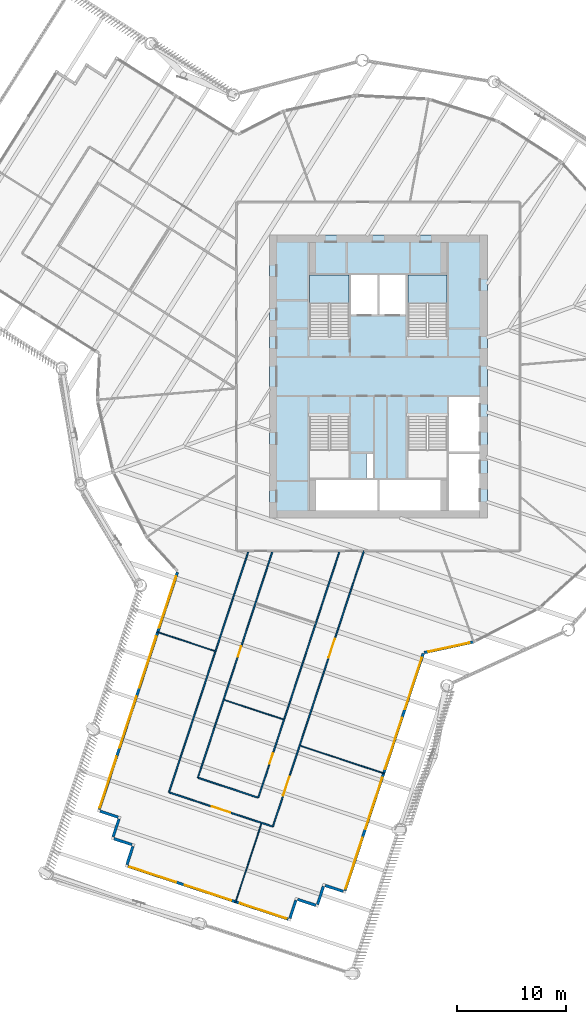
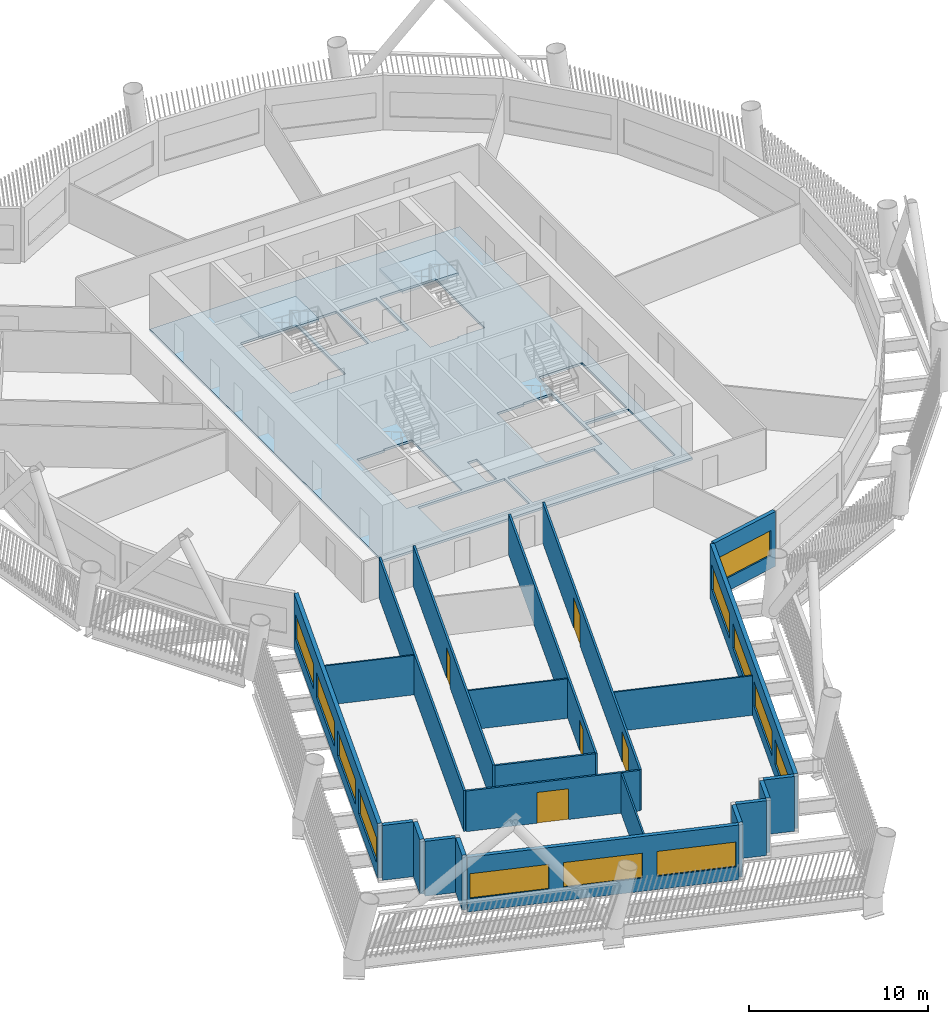
# One storey, part 3 of 22: 22 walls, 12 windows, 5 doors, 3 slabs, 17 openings, 2 elements without a shape of their own.
"""IFC4 building model written with IfcOpenShell, lengths in metres."""

import ifcopenshell
import ifcopenshell.guid

model = None  # the IFC model being written
_history = None  # IfcOwnerHistory: only IFC2X3 demands one
_inside = {}  # id of a spatial element -> (the spatial element, [elements in it])
_under = {}  # id of a project, library or spatial element -> (it, [spatial elements below it])
_declared = {}  # id of a project -> (the project, [libraries it declares])
_typed = {}  # id of a type object -> (the type object, [elements of that type])
_made_of = {}  # id of a material, layer set ... -> (it, [elements and type objects made of it])


def new_model(schema):
    """Start an empty IFC model of exactly this schema.

    Asked for "IFC4X3", IfcOpenShell would pick the latest addendum, in which some entities
    have other attributes; the version numbers below select the first issue.
    IFC2X3 requires an IfcOwnerHistory on every rooted entity: one is made here for all.
    """
    global model, _history
    if schema == "IFC4X3":
        model = ifcopenshell.file(schema_version=(4, 3, 0, 0))
    else:
        model = ifcopenshell.file(schema=schema)
    _inside.clear()
    _under.clear()
    _declared.clear()
    _typed.clear()
    _made_of.clear()
    _history = None
    if model.schema == "IFC2X3":
        org = make("IfcOrganization", Name="unknown")
        user = make(
            "IfcPersonAndOrganization",
            ThePerson=make("IfcPerson", FamilyName="unknown"),
            TheOrganization=org,
        )
        app = make(
            "IfcApplication",
            ApplicationDeveloper=org,
            Version="unknown",
            ApplicationFullName="unknown",
            ApplicationIdentifier="unknown",
        )
        _history = make(
            "IfcOwnerHistory",
            OwningUser=user,
            OwningApplication=app,
            ChangeAction="ADDED",
            CreationDate=0,
        )
    return model


def make(cls, **values):
    """One entity of the class cls with the attributes given. An attribute that is None is left unset."""
    return model.create_entity(
        cls, **{name: value for name, value in values.items() if value is not None}
    )


def rooted(cls, **values):
    """An entity with a GlobalId (a new one), such as an element, a storey or a relation."""
    return make(cls, GlobalId=ifcopenshell.guid.new(), OwnerHistory=_history, **values)


def si_unit(unit_type, name, prefix=None):
    """IfcSIUnit, for example si_unit("LENGTHUNIT", "METRE", prefix="MILLI")."""
    return make("IfcSIUnit", UnitType=unit_type, Prefix=prefix, Name=name)


def assignment(units):
    """IfcUnitAssignment: the units of a project."""
    return None if units is None else make("IfcUnitAssignment", Units=units)


def point(xyz):
    """IfcCartesianPoint."""
    return None if xyz is None else make("IfcCartesianPoint", Coordinates=xyz)


def direction(xyz):
    """IfcDirection."""
    return None if xyz is None else make("IfcDirection", DirectionRatios=xyz)


def frame(location, z_axis=None, x_axis=None):
    """IfcAxis2Placement3D, a coordinate frame: its origin and axes. An axis left out is left unset."""
    return make(
        "IfcAxis2Placement3D",
        Location=point(location),
        Axis=direction(z_axis),
        RefDirection=direction(x_axis),
    )


def frame_2d(location, x_axis=None):
    """IfcAxis2Placement2D, a coordinate frame in the plane: its origin and x axis."""
    return make(
        "IfcAxis2Placement2D", Location=point(location), RefDirection=direction(x_axis)
    )


def origin():
    """The frame at (0, 0, 0) with its axes left unset."""
    return frame((0.0, 0.0, 0.0))


def place(relative_to, where):
    """IfcLocalPlacement: puts the frame where relative to a parent placement (None: the world)."""
    return make(
        "IfcLocalPlacement", PlacementRelTo=relative_to, RelativePlacement=where
    )


def context(
    kind, dimensions, precision=None, world=None, true_north=None, identifier=None
):
    """IfcGeometricRepresentationContext, for example the 3D "Model" context."""
    return make(
        "IfcGeometricRepresentationContext",
        ContextIdentifier=identifier,
        ContextType=kind,
        CoordinateSpaceDimension=dimensions,
        Precision=precision,
        WorldCoordinateSystem=world,
        TrueNorth=true_north,
    )


def subcontext(parent, identifier, kind, view, scale=None):
    """IfcGeometricRepresentationSubContext, for example "Body" below "Model"."""
    return make(
        "IfcGeometricRepresentationSubContext",
        ContextIdentifier=identifier,
        ContextType=kind,
        ParentContext=parent,
        TargetScale=scale,
        TargetView=view,
    )


def project(units=None, contexts=None):
    """IfcProject with its units and contexts."""
    return rooted(
        "IfcProject",
        Name="project",
        RepresentationContexts=contexts,
        UnitsInContext=assignment(units),
    )


def spatial(cls, under=None, at=None, **own):
    """A site, building, storey or space (cls), placed at a placement, below another one or the project."""
    s = rooted(cls, ObjectPlacement=at, **own)
    if under is not None:
        _under.setdefault(under.id(), (under, []))[1].append(s)
    return s


def polyline(points):
    """IfcPolyline through the points."""
    return make("IfcPolyline", Points=[point(p) for p in points])


def profile(cls, at=None, kind="AREA", **sizes):
    """A parametric profile (cls). Its sizes go by their IFC names, for example OverallWidth=200.0."""
    return make(cls, ProfileType=kind, Position=at, **sizes)


def rectangle(**sizes):
    """IfcRectangleProfileDef."""
    return profile("IfcRectangleProfileDef", **sizes)


def outline(outer, holes=None, kind="AREA"):
    """IfcArbitraryClosedProfileDef: a profile drawn as a closed curve; with holes, ...WithVoids."""
    if holes is None:
        return make("IfcArbitraryClosedProfileDef", ProfileType=kind, OuterCurve=outer)
    return make(
        "IfcArbitraryProfileDefWithVoids",
        ProfileType=kind,
        OuterCurve=outer,
        InnerCurves=holes,
    )


def extrude(swept, where, along, depth):
    """IfcExtrudedAreaSolid: the profile swept, set in the frame where, extruded along a direction by depth."""
    return make(
        "IfcExtrudedAreaSolid",
        SweptArea=swept,
        Position=where,
        ExtrudedDirection=direction(along),
        Depth=depth,
    )


def shape(context_of_items, identifier, shape_type, items):
    """IfcShapeRepresentation: the items that make up one representation, for example the "Body"."""
    return make(
        "IfcShapeRepresentation",
        ContextOfItems=context_of_items,
        RepresentationIdentifier=identifier,
        RepresentationType=shape_type,
        Items=items,
    )


def material(Name=None, Category=None):
    """IfcMaterial."""
    return make("IfcMaterial", Name=Name, Category=Category)


def layer(
    of_material, thickness, ventilated=None, Name=None, Category=None, Priority=None
):
    """IfcMaterialLayer: one layer of a wall or slab, of a material (None: an air gap)."""
    return make(
        "IfcMaterialLayer",
        Material=of_material,
        LayerThickness=thickness,
        IsVentilated=ventilated,
        Name=Name,
        Category=Category,
        Priority=Priority,
    )


def layer_set(layers, Name=None):
    """IfcMaterialLayerSet."""
    return make("IfcMaterialLayerSet", MaterialLayers=layers, LayerSetName=Name)


def made_of(thing, what):
    """Note that an element or type object is made of a material, layer set ...; save() writes the relation."""
    if what is not None:
        _made_of.setdefault(what.id(), (what, []))[1].append(thing)
    return thing


def type_object(cls, material=None, **own):
    """A type object (cls), such as IfcWallType, which elements share."""
    return made_of(rooted(cls, **own), material)


def element(
    cls,
    number,
    at=None,
    inside=None,
    cuts=None,
    type_object=None,
    material=None,
    context=None,
    identifier="Body",
    shape_type=None,
    held_by="IfcProductDefinitionShape",
    body=None,
    shapes=None,
    **own,
):
    """One element of the class cls, such as IfcWall. Its Tag is "e" and its number.

    at: its placement. inside: the storey or other place that contains it. cuts: it is an
    opening in that element (IfcRelVoidsElement). A single representation is given by context,
    identifier, shape_type and body (its items); several are given by shapes. held_by: the class
    of the entity that holds the representations. save() writes the other relations.
    """
    e = rooted(cls, Tag="e%d" % number, ObjectPlacement=at, **own)
    if body is not None:
        shapes = [shape(context, identifier, shape_type, body)]
    if shapes is not None:
        e.Representation = make(held_by, Representations=shapes)
    if inside is not None:
        _inside.setdefault(inside.id(), (inside, []))[1].append(e)
    if cuts is not None:
        rooted(
            "IfcRelVoidsElement", RelatingBuildingElement=cuts, RelatedOpeningElement=e
        )
    if type_object is not None:
        _typed.setdefault(type_object.id(), (type_object, []))[1].append(e)
    return made_of(e, material)


def fill(opening, filler):
    """IfcRelFillsElement: the door or window that sits in an opening."""
    return rooted(
        "IfcRelFillsElement",
        RelatingOpeningElement=opening,
        RelatedBuildingElement=filler,
    )


def aggregate(whole, parts):
    """IfcRelAggregates: a whole, such as a stair, and the parts it consists of."""
    return rooted("IfcRelAggregates", RelatingObject=whole, RelatedObjects=parts)


def save(model, path):
    """Write the relations noted so far, then the file.

    IfcRelAggregates (storeys below a building ...), IfcRelContainedInSpatialStructure (elements
    in a storey), IfcRelDefinesByType, IfcRelAssociatesMaterial and IfcRelDeclares: one each for
    every whole, place, type object, material and project.
    """
    for whole, parts in _under.values():
        aggregate(whole, parts)
    for where, things in _inside.values():
        rooted(
            "IfcRelContainedInSpatialStructure",
            RelatedElements=things,
            RelatingStructure=where,
        )
    for kind, things in _typed.values():
        rooted("IfcRelDefinesByType", RelatedObjects=things, RelatingType=kind)
    for what, things in _made_of.values():
        rooted("IfcRelAssociatesMaterial", RelatedObjects=things, RelatingMaterial=what)
    for by, libraries in _declared.values():
        rooted("IfcRelDeclares", RelatingContext=by, RelatedDefinitions=libraries)
    model.write(path)


model = new_model("IFC4")

# Units and contexts
model_context = context("Model", 3, precision=1e-05, world=origin(), true_north=direction((0.0, 1.0)))
body_context = subcontext(model_context, "Body", "Model", "MODEL_VIEW")
ifc_project = project(units=[si_unit("LENGTHUNIT", "METRE"), si_unit("AREAUNIT", "SQUARE_METRE"), si_unit("VOLUMEUNIT", "CUBIC_METRE"), si_unit("PLANEANGLEUNIT", "RADIAN"), si_unit("MASSUNIT", "GRAM", prefix="KILO")], contexts=[model_context])

# Site, building, storey
site_placement = place(None, origin())
site = spatial("IfcSite", under=ifc_project, at=site_placement, CompositionType="ELEMENT")
building_placement = place(site_placement, origin())
building = spatial("IfcBuilding", under=site, at=building_placement, Name="Tarsis Ring Headquarters", CompositionType="ELEMENT")
storey_placement = place(building_placement, frame((0.0, 0.0, 147.60009765625)))
storey = spatial("IfcBuildingStorey", under=building, at=storey_placement, Name="L33", CompositionType="ELEMENT", Elevation=147.60009765625)

# Slab
ifc_material_1 = material(Name="Concrete C40/50", Category="concrete")
ifc_layer_1 = layer(ifc_material_1, 0.159912109375)
ifc_layer_set_1 = layer_set([ifc_layer_1], Name="Core floor slab 160 C40/50")
slab_type_1 = type_object("IfcSlabType", Name="Core floor slab 160 C40/50", PredefinedType="FLOOR", material=ifc_layer_set_1)
slab_1_placement = place(storey_placement, frame((0.0, 0.0, -0.16015625)))
element("IfcSlab", 1, at=slab_1_placement, inside=storey, type_object=slab_type_1, Name="L33 core floor slab", PredefinedType="FLOOR", context=body_context, shape_type="SweptSolid", body=[
    extrude(outline(polyline([(-10.0, -13.0), (10.0, -13.0), (10.0, 13.0), (-10.0, 13.0), (-10.0, -13.0)]), holes=[polyline([(-2.5, 5.699951171875), (-0.10009765625, 5.699951171875), (-0.10009765625, 9.300048828125), (-2.5, 9.300048828125), (-2.5, 5.699951171875)]), polyline([(0.10009765625, 5.699951171875), (2.5, 5.699951171875), (2.5, 9.300048828125), (0.10009765625, 9.300048828125), (0.10009765625, 5.699951171875)]), polyline([(6.5, -12.300048828125), (9.300048828125, -12.300048828125), (9.300048828125, -7.10009765625), (6.5, -7.10009765625), (6.5, -12.300048828125)]), polyline([(6.5, -6.89990234375), (9.300048828125, -6.89990234375), (9.300048828125, -1.89990234375), (6.5, -1.89990234375), (6.5, -6.89990234375)]), polyline([(-5.699951171875, -12.300048828125), (-0.10009765625, -12.300048828125), (-0.10009765625, -9.5), (-5.699951171875, -9.5), (-5.699951171875, -12.300048828125)]), polyline([(0.10009765625, -12.300048828125), (5.699951171875, -12.300048828125), (5.699951171875, -9.5), (0.10009765625, -9.5), (0.10009765625, -12.300048828125)]), polyline([(-1.10009765625, -9.300048828125), (-0.5, -9.300048828125), (-0.5, -7.10009765625), (-1.10009765625, -7.10009765625), (-1.10009765625, -9.300048828125)]), polyline([(-2.699951171875, 3.760009765625), (-2.699951171875, 9.300048828125), (-6.300048828125, 9.300048828125), (-6.300048828125, 3.659912109375), (-4.4599609375, 3.659912109375), (-4.4599609375, 3.760009765625), (-2.699951171875, 3.760009765625)]), polyline([(6.300048828125, 3.760009765625), (6.300048828125, 9.300048828125), (2.699951171875, 9.300048828125), (2.699951171875, 3.659912109375), (4.5400390625, 3.659912109375), (4.5400390625, 3.760009765625), (6.300048828125, 3.760009765625)]), polyline([(-6.300048828125, -3.760009765625), (-6.300048828125, -9.300048828125), (-2.699951171875, -9.300048828125), (-2.699951171875, -3.659912109375), (-4.5400390625, -3.659912109375), (-4.5400390625, -3.760009765625), (-6.300048828125, -3.760009765625)]), polyline([(2.699951171875, -3.760009765625), (2.699951171875, -9.300048828125), (6.300048828125, -9.300048828125), (6.300048828125, -3.659912109375), (4.4599609375, -3.659912109375), (4.4599609375, -3.760009765625), (2.699951171875, -3.760009765625)])]), origin(), (0.0, 0.0, 1.0), 0.16015625),
])

# Stair, slab
ifc_material_2 = material(Name="Core stair 1760")
stair_type = type_object("IfcStairType", Name="Core stair 1760", PredefinedType="HALF_TURN_STAIR", material=ifc_material_2)
stair_1_placement = place(storey_placement, origin())
stair_1 = element("IfcStair", 2, at=stair_1_placement, inside=storey, type_object=stair_type, Name="L33 Firefighting stair", PredefinedType="HALF_TURN_STAIR")
ifc_layer_2 = layer(ifc_material_1, 0.199951171875)
ifc_layer_set_2 = layer_set([ifc_layer_2], Name="Core stair landing 200")
slab_type_2 = type_object("IfcSlabType", Name="Core stair landing 200", PredefinedType="LANDING", material=ifc_layer_set_2)
slab_2_placement = place(storey_placement, frame((0.0, 0.0, 1.75)))
slab_2 = element("IfcSlab", 3, at=slab_2_placement, type_object=slab_type_2, Name="Stair ST1 landing 1", PredefinedType="LANDING", context=body_context, shape_type="SweptSolid", body=[
    extrude(outline(polyline([(-2.699951171875, 6.739990234375), (-2.699951171875, 9.300048828125), (-6.300048828125, 9.300048828125), (-6.300048828125, 6.739990234375), (-2.699951171875, 6.739990234375)])), origin(), (0.0, 0.0, 1.0), 0.199951171875),
])
aggregate(stair_1, [slab_2])

stair_2_placement = place(storey_placement, origin())
stair_2 = element("IfcStair", 4, at=stair_2_placement, inside=storey, type_object=stair_type, Name="L33 Exit stair B", PredefinedType="HALF_TURN_STAIR")
slab_3_placement = place(storey_placement, frame((0.0, 0.0, 1.75)))
slab_3 = element("IfcSlab", 5, at=slab_3_placement, type_object=slab_type_2, Name="Stair ST2 landing 1", PredefinedType="LANDING", context=body_context, shape_type="SweptSolid", body=[
    extrude(outline(polyline([(6.300048828125, 6.739990234375), (6.300048828125, 9.300048828125), (2.699951171875, 9.300048828125), (2.699951171875, 6.739990234375), (6.300048828125, 6.739990234375)])), origin(), (0.0, 0.0, 1.0), 0.199951171875),
])
aggregate(stair_2, [slab_3])

# Walls
ifc_material_3 = material(Name="Gypsum board on steel studs", Category="steel")
ifc_layer_3 = layer(ifc_material_3, 0.10009765625)
ifc_layer_set_3 = layer_set([ifc_layer_3], Name="FL partition 100 unrated")
wall_type_1 = type_object("IfcWallType", Name="FL partition 100 unrated", PredefinedType="PARTITIONING", material=ifc_layer_set_3)
wall_1_placement = place(storey_placement, frame((-7.1572265625, -33.8837890625, 0.0), z_axis=(0.0, 0.0, 1.0), x_axis=(0.949645805718, -0.313325459678, 0.0)))
element("IfcWall", 6, at=wall_1_placement, inside=storey, type_object=wall_type_1, Name="Partition PW3", PredefinedType="PARTITIONING", context=body_context, shape_type="SweptSolid", body=[
    extrude(rectangle(XDim=8.130126953125, YDim=0.10009765625, at=frame_2d((4.06494140625, 0.0))), origin(), (0.0, 0.0, 1.0), 2.699951171875),
])
wall_2_placement = place(storey_placement, frame((-13.115234375, -48.271240234375, 0.0), z_axis=(0.0, 0.0, 1.0), x_axis=(0.313317723721, 0.949648358079, 0.0)))
element("IfcWall", 7, at=wall_2_placement, inside=storey, type_object=wall_type_1, Name="Partition PW3", PredefinedType="PARTITIONING", context=body_context, shape_type="SweptSolid", body=[
    extrude(rectangle(XDim=7.630126953125, YDim=0.10009765625, at=frame_2d((3.81494140625, 0.0))), origin(), (0.0, 0.0, 1.0), 2.699951171875),
])
wall_3_placement = place(storey_placement, frame((-14.130126953125, -29.677001953125, 0.0), z_axis=(0.0, 0.0, 1.0), x_axis=(0.949646875305, -0.313322217891, 0.0)))
element("IfcWall", 8, at=wall_3_placement, inside=storey, type_object=wall_type_1, Name="Partition PW3", PredefinedType="PARTITIONING", context=body_context, shape_type="SweptSolid", body=[
    extrude(rectangle(XDim=5.699951171875, YDim=0.10009765625, at=frame_2d((2.85009765625, 0.0))), origin(), (0.0, 0.0, 1.0), 2.699951171875),
])
wall_4_placement = place(storey_placement, frame((-20.315673828125, -23.4345703125, 0.0), z_axis=(0.0, 0.0, 1.0), x_axis=(0.949648402739, -0.313317588358, 0.0)))
element("IfcWall", 9, at=wall_4_placement, inside=storey, type_object=wall_type_1, Name="Partition PW3", PredefinedType="PARTITIONING", context=body_context, shape_type="SweptSolid", body=[
    extrude(rectangle(XDim=5.590087890625, YDim=0.10009765625, at=frame_2d((2.794921875, 0.0))), origin(), (0.0, 0.0, 1.0), 2.699951171875),
])

# Wall, openings, doors
ifc_layer_4 = layer(ifc_material_3, 0.125)
ifc_layer_set_4 = layer_set([ifc_layer_4], Name="FL partition 125 EI 60 H2770")
wall_type_2 = type_object("IfcWallType", Name="FL partition 125 EI 60 H2770", PredefinedType="PARTITIONING", material=ifc_layer_set_4)
wall_5_placement = place(storey_placement, frame((-9.677001953125, -41.297607421875, 0.0), z_axis=(0.0, 0.0, 1.0), x_axis=(0.31332563374, 0.949645748288, 0.0)))
wall_5 = element("IfcWall", 10, at=wall_5_placement, inside=storey, type_object=wall_type_2, Name="Partition PW1", PredefinedType="PARTITIONING", context=body_context, shape_type="SweptSolid", body=[
    extrude(rectangle(XDim=26.638916015625, YDim=0.125, at=frame_2d((13.3193359375, 0.0))), origin(), (0.0, 0.0, 1.0), 2.77001953125),
])
opening_1_placement = place(wall_5_placement, frame((16.332275390625, 0.0, 0.0)))
opening_1 = element("IfcOpeningElement", 11, at=opening_1_placement, cuts=wall_5, Name="Opening D33.09", PredefinedType="OPENING", context=body_context, shape_type="SweptSolid", body=[
    extrude(rectangle(XDim=1.800048828125, YDim=2.10009765625, at=frame_2d((0.89990234375, 1.050048828125))), frame((0.0, 0.072509765625, 0.0), z_axis=(0.0, -1.0, 0.0), x_axis=(1.0, 0.0, 0.0)), (0.0, 0.0, 1.0), 0.14501953125),
])
opening_2_placement = place(wall_5_placement, frame((3.0126953125, 0.0, 0.0)))
opening_2 = element("IfcOpeningElement", 12, at=opening_2_placement, cuts=wall_5, Name="Opening D33.10", PredefinedType="OPENING", context=body_context, shape_type="SweptSolid", body=[
    extrude(rectangle(XDim=1.800048828125, YDim=2.10009765625, at=frame_2d((0.89990234375, 1.050048828125))), frame((0.0, 0.072509765625, 0.0), z_axis=(0.0, -1.0, 0.0), x_axis=(1.0, 0.0, 0.0)), (0.0, 0.0, 1.0), 0.14501953125),
])
ifc_material_4 = material(Name="Fire-rated timber door leaf in steel frame", Category="steel")
door_type_1 = type_object("IfcDoorType", Name="FL door FD60-1800", OperationType="DOUBLE_DOOR_SINGLE_SWING", PredefinedType="DOOR", material=ifc_material_4)
door_1_placement = place(opening_1_placement, origin())
door_1 = element("IfcDoor", 13, at=door_1_placement, inside=storey, type_object=door_type_1, Name="Door D33.09", OperationType="DOUBLE_DOOR_SINGLE_SWING", OverallHeight=2.10009765625, OverallWidth=1.800048828125, PredefinedType="DOOR", context=body_context, shape_type="SweptSolid", body=[
    extrude(rectangle(XDim=1.800048828125, YDim=2.10009765625, at=frame_2d((0.89990234375, 1.050048828125))), frame((0.0, 0.02490234375, 0.0), z_axis=(0.0, -1.0, 0.0), x_axis=(1.0, 0.0, 0.0)), (0.0, 0.0, 1.0), 0.050048828125),
])
fill(opening_1, door_1)
door_2_placement = place(opening_2_placement, origin())
door_2 = element("IfcDoor", 14, at=door_2_placement, inside=storey, type_object=door_type_1, Name="Door D33.10", OperationType="DOUBLE_DOOR_SINGLE_SWING", OverallHeight=2.10009765625, OverallWidth=1.800048828125, PredefinedType="DOOR", context=body_context, shape_type="SweptSolid", body=[
    extrude(rectangle(XDim=1.800048828125, YDim=2.10009765625, at=frame_2d((0.89990234375, 1.050048828125))), frame((0.0, 0.02490234375, 0.0), z_axis=(0.0, -1.0, 0.0), x_axis=(1.0, 0.0, 0.0)), (0.0, 0.0, 1.0), 0.050048828125),
])
fill(opening_2, door_2)

# Wall, opening, door
wall_6_placement = place(storey_placement, frame((-11.01318359375, -38.645263671875, 0.0), z_axis=(0.0, 0.0, 1.0), x_axis=(0.313326317427, 0.949645522712, 0.0)))
wall_6 = element("IfcWall", 15, at=wall_6_placement, inside=storey, type_object=wall_type_2, Name="Partition PW1", PredefinedType="PARTITIONING", context=body_context, shape_type="SweptSolid", body=[
    extrude(rectangle(XDim=23.76611328125, YDim=0.125, at=frame_2d((11.883056640625, 0.0))), origin(), (0.0, 0.0, 1.0), 2.77001953125),
])
opening_3_placement = place(wall_6_placement, frame((3.2724609375, 0.0, 0.0)))
opening_3 = element("IfcOpeningElement", 16, at=opening_3_placement, cuts=wall_6, Name="Opening D33.18", PredefinedType="OPENING", context=body_context, shape_type="SweptSolid", body=[
    extrude(rectangle(XDim=1.0, YDim=2.10009765625, at=frame_2d((0.5, 1.050048828125))), frame((0.0, 0.072509765625, 0.0), z_axis=(0.0, -1.0, 0.0), x_axis=(1.0, 0.0, 0.0)), (0.0, 0.0, 1.0), 0.14501953125),
])
door_type_2 = type_object("IfcDoorType", Name="FL door FD60-1000", OperationType="NOTDEFINED", PredefinedType="DOOR", material=ifc_material_4)
door_3_placement = place(opening_3_placement, origin())
door_3 = element("IfcDoor", 17, at=door_3_placement, inside=storey, type_object=door_type_2, Name="Door D33.18", OperationType="SINGLE_SWING_LEFT", OverallHeight=2.10009765625, OverallWidth=1.0, PredefinedType="DOOR", context=body_context, shape_type="SweptSolid", body=[
    extrude(rectangle(XDim=1.0, YDim=2.10009765625, at=frame_2d((0.5, 1.050048828125))), frame((0.0, 0.02490234375, 0.0), z_axis=(0.0, -1.0, 0.0), x_axis=(1.0, 0.0, 0.0)), (0.0, 0.0, 1.0), 0.050048828125),
])
fill(opening_3, door_3)

# Wall
wall_7_placement = place(storey_placement, frame((-19.21142578125, -38.151611328125, 0.0), z_axis=(0.0, 0.0, 1.0), x_axis=(0.313327636428, 0.94964508752, 0.0)))
element("IfcWall", 18, at=wall_7_placement, inside=storey, type_object=wall_type_2, Name="Partition PW1", PredefinedType="PARTITIONING", context=body_context, shape_type="SweptSolid", body=[
    extrude(rectangle(XDim=23.246337890625, YDim=0.125, at=frame_2d((11.623046875, 0.0))), origin(), (0.0, 0.0, 1.0), 2.77001953125),
])

# Wall, opening, door
wall_8_placement = place(storey_placement, frame((-16.55908203125, -36.8154296875, 0.0), z_axis=(0.0, 0.0, 1.0), x_axis=(0.313325334073, 0.94964584716, 0.0)))
wall_8 = element("IfcWall", 19, at=wall_8_placement, inside=storey, type_object=wall_type_2, Name="Partition PW1", PredefinedType="PARTITIONING", context=body_context, shape_type="SweptSolid", body=[
    extrude(rectangle(XDim=21.839111328125, YDim=0.125, at=frame_2d((10.91943359375, 0.0))), origin(), (0.0, 0.0, 1.0), 2.77001953125),
])
opening_4_placement = place(wall_8_placement, frame((11.69775390625, 0.0, 0.0)))
opening_4 = element("IfcOpeningElement", 20, at=opening_4_placement, cuts=wall_8, Name="Opening D33.17", PredefinedType="OPENING", context=body_context, shape_type="SweptSolid", body=[
    extrude(rectangle(XDim=1.0, YDim=2.10009765625, at=frame_2d((0.5, 1.050048828125))), frame((0.0, 0.072509765625, 0.0), z_axis=(0.0, -1.0, 0.0), x_axis=(1.0, 0.0, 0.0)), (0.0, 0.0, 1.0), 0.14501953125),
])
door_4_placement = place(opening_4_placement, origin())
door_4 = element("IfcDoor", 21, at=door_4_placement, inside=storey, type_object=door_type_2, Name="Door D33.17", OperationType="SINGLE_SWING_RIGHT", OverallHeight=2.10009765625, OverallWidth=1.0, PredefinedType="DOOR", context=body_context, shape_type="SweptSolid", body=[
    extrude(rectangle(XDim=1.0, YDim=2.10009765625, at=frame_2d((0.5, 1.050048828125))), frame((0.0, 0.02490234375, 0.0), z_axis=(0.0, -1.0, 0.0), x_axis=(1.0, 0.0, 0.0)), (0.0, 0.0, 1.0), 0.050048828125),
])
fill(opening_4, door_4)

wall_9_placement = place(storey_placement, frame((-19.154541015625, -38.17041015625, 0.0), z_axis=(0.0, 0.0, 1.0), x_axis=(0.949641172146, -0.313339503039, 0.0)))
wall_9 = element("IfcWall", 22, at=wall_9_placement, inside=storey, type_object=wall_type_2, Name="Partition PW1", PredefinedType="PARTITIONING", context=body_context, shape_type="SweptSolid", body=[
    extrude(rectangle(XDim=9.920166015625, YDim=0.125, at=frame_2d((4.9599609375, 0.0))), origin(), (0.0, 0.0, 1.0), 2.77001953125),
])
opening_5_placement = place(wall_9_placement, frame((4.06005859375, 0.0, 0.0)))
opening_5 = element("IfcOpeningElement", 23, at=opening_5_placement, cuts=wall_9, Name="Opening D33.11", PredefinedType="OPENING", context=body_context, shape_type="SweptSolid", body=[
    extrude(rectangle(XDim=1.800048828125, YDim=2.10009765625, at=frame_2d((0.89990234375, 1.050048828125))), frame((0.0, 0.072509765625, 0.0), z_axis=(0.0, -1.0, 0.0), x_axis=(1.0, 0.0, 0.0)), (0.0, 0.0, 1.0), 0.14501953125),
])
door_5_placement = place(opening_5_placement, origin())
door_5 = element("IfcDoor", 24, at=door_5_placement, inside=storey, type_object=door_type_1, Name="Door D33.11", OperationType="DOUBLE_DOOR_SINGLE_SWING", OverallHeight=2.10009765625, OverallWidth=1.800048828125, PredefinedType="DOOR", context=body_context, shape_type="SweptSolid", body=[
    extrude(rectangle(XDim=1.800048828125, YDim=2.10009765625, at=frame_2d((0.89990234375, 1.050048828125))), frame((0.0, 0.02490234375, 0.0), z_axis=(0.0, -1.0, 0.0), x_axis=(1.0, 0.0, 0.0)), (0.0, 0.0, 1.0), 0.050048828125),
])
fill(opening_5, door_5)

# Wall
wall_10_placement = place(storey_placement, frame((-16.502197265625, -36.834228515625, 0.0), z_axis=(0.0, 0.0, 1.0), x_axis=(0.94964350936, -0.313332419534, 0.0)))
element("IfcWall", 25, at=wall_10_placement, inside=storey, type_object=wall_type_2, Name="Partition PW1", PredefinedType="PARTITIONING", context=body_context, shape_type="SweptSolid", body=[
    extrude(rectangle(XDim=5.719970703125, YDim=0.125, at=frame_2d((2.85986328125, 0.0))), origin(), (0.0, 0.0, 1.0), 2.77001953125),
])

# Wall, openings, windows
ifc_material_5 = material(Name="Terracotta clad insulated panel wall", Category="masonry")
ifc_layer_5 = layer(ifc_material_5, 0.25)
ifc_layer_set_5 = layer_set([ifc_layer_5], Name="Facade wall terracotta panel 250")
wall_type_3 = type_object("IfcWallType", Name="Facade wall terracotta panel 250", PredefinedType="STANDARD", material=ifc_layer_set_5)
wall_11_placement = place(storey_placement, frame((-18.4296875, -17.957763671875, 0.0), z_axis=(0.0, 0.0, 1.0), x_axis=(-0.313331349733, -0.949643862337, 0.0)))
wall_11 = element("IfcWall", 26, at=wall_11_placement, inside=storey, type_object=wall_type_3, Name="External wall L33-06", PredefinedType="STANDARD", context=body_context, shape_type="SweptSolid", body=[
    extrude(rectangle(XDim=22.921875, YDim=0.25, at=frame_2d((11.4609375, 0.0))), origin(), (0.0, 0.0, 1.0), 3.739990234375),
])
opening_6_placement = place(wall_11_placement, frame((0.42138671875, 0.0, 0.89990234375)))
opening_6 = element("IfcOpeningElement", 27, at=opening_6_placement, cuts=wall_11, Name="Opening WN05", PredefinedType="OPENING", context=body_context, shape_type="SweptSolid", body=[
    extrude(rectangle(XDim=4.949951171875, YDim=1.699951171875, at=frame_2d((2.47509765625, 0.85009765625))), frame((0.0, 0.135009765625, 0.0), z_axis=(0.0, -1.0, 0.0), x_axis=(1.0, 0.0, 0.0)), (0.0, 0.0, 1.0), 0.27001953125),
])
opening_7_placement = place(wall_11_placement, frame((6.214599609375, 0.0, 0.89990234375)))
opening_7 = element("IfcOpeningElement", 28, at=opening_7_placement, cuts=wall_11, Name="Opening WN05", PredefinedType="OPENING", context=body_context, shape_type="SweptSolid", body=[
    extrude(rectangle(XDim=4.949951171875, YDim=1.699951171875, at=frame_2d((2.47509765625, 0.85009765625))), frame((0.0, 0.135009765625, 0.0), z_axis=(0.0, -1.0, 0.0), x_axis=(1.0, 0.0, 0.0)), (0.0, 0.0, 1.0), 0.27001953125),
])
opening_8_placement = place(wall_11_placement, frame((12.007568359375, 0.0, 0.89990234375)))
opening_8 = element("IfcOpeningElement", 29, at=opening_8_placement, cuts=wall_11, Name="Opening WN05", PredefinedType="OPENING", context=body_context, shape_type="SweptSolid", body=[
    extrude(rectangle(XDim=4.949951171875, YDim=1.699951171875, at=frame_2d((2.47509765625, 0.85009765625))), frame((0.0, 0.135009765625, 0.0), z_axis=(0.0, -1.0, 0.0), x_axis=(1.0, 0.0, 0.0)), (0.0, 0.0, 1.0), 0.27001953125),
])
opening_9_placement = place(wall_11_placement, frame((17.800537109375, 0.0, 0.89990234375)))
opening_9 = element("IfcOpeningElement", 30, at=opening_9_placement, cuts=wall_11, Name="Opening WN05", PredefinedType="OPENING", context=body_context, shape_type="SweptSolid", body=[
    extrude(rectangle(XDim=4.949951171875, YDim=1.699951171875, at=frame_2d((2.47509765625, 0.85009765625))), frame((0.0, 0.135009765625, 0.0), z_axis=(0.0, -1.0, 0.0), x_axis=(1.0, 0.0, 0.0)), (0.0, 0.0, 1.0), 0.27001953125),
])
ifc_material_6 = material(Name="Aluminium framed double glazing", Category="aluminium")
window_type_1 = type_object("IfcWindowType", Name="Facade window 4950 x 1700", PartitioningType="SINGLE_PANEL", PredefinedType="WINDOW", material=ifc_material_6)
window_1_placement = place(opening_6_placement, origin())
window_1 = element("IfcWindow", 31, at=window_1_placement, inside=storey, type_object=window_type_1, Name="Window L33-06.1", OverallHeight=1.699951171875, OverallWidth=4.949951171875, PartitioningType="SINGLE_PANEL", PredefinedType="WINDOW", context=body_context, shape_type="SweptSolid", body=[
    extrude(rectangle(XDim=4.949951171875, YDim=1.699951171875, at=frame_2d((2.47509765625, 0.85009765625))), frame((0.0, 0.030029296875, 0.0), z_axis=(0.0, -1.0, 0.0), x_axis=(1.0, 0.0, 0.0)), (0.0, 0.0, 1.0), 0.06005859375),
])
fill(opening_6, window_1)
window_2_placement = place(opening_7_placement, origin())
window_2 = element("IfcWindow", 32, at=window_2_placement, inside=storey, type_object=window_type_1, Name="Window L33-06.2", OverallHeight=1.699951171875, OverallWidth=4.949951171875, PartitioningType="SINGLE_PANEL", PredefinedType="WINDOW", context=body_context, shape_type="SweptSolid", body=[
    extrude(rectangle(XDim=4.949951171875, YDim=1.699951171875, at=frame_2d((2.47509765625, 0.85009765625))), frame((0.0, 0.030029296875, 0.0), z_axis=(0.0, -1.0, 0.0), x_axis=(1.0, 0.0, 0.0)), (0.0, 0.0, 1.0), 0.06005859375),
])
fill(opening_7, window_2)
window_3_placement = place(opening_8_placement, origin())
window_3 = element("IfcWindow", 33, at=window_3_placement, inside=storey, type_object=window_type_1, Name="Window L33-06.3", OverallHeight=1.699951171875, OverallWidth=4.949951171875, PartitioningType="SINGLE_PANEL", PredefinedType="WINDOW", context=body_context, shape_type="SweptSolid", body=[
    extrude(rectangle(XDim=4.949951171875, YDim=1.699951171875, at=frame_2d((2.47509765625, 0.85009765625))), frame((0.0, 0.030029296875, 0.0), z_axis=(0.0, -1.0, 0.0), x_axis=(1.0, 0.0, 0.0)), (0.0, 0.0, 1.0), 0.06005859375),
])
fill(opening_8, window_3)
window_4_placement = place(opening_9_placement, origin())
window_4 = element("IfcWindow", 34, at=window_4_placement, inside=storey, type_object=window_type_1, Name="Window L33-06.4", OverallHeight=1.699951171875, OverallWidth=4.949951171875, PartitioningType="SINGLE_PANEL", PredefinedType="WINDOW", context=body_context, shape_type="SweptSolid", body=[
    extrude(rectangle(XDim=4.949951171875, YDim=1.699951171875, at=frame_2d((2.47509765625, 0.85009765625))), frame((0.0, 0.030029296875, 0.0), z_axis=(0.0, -1.0, 0.0), x_axis=(1.0, 0.0, 0.0)), (0.0, 0.0, 1.0), 0.06005859375),
])
fill(opening_9, window_4)

# Walls
for number, where, z_axis, x_axis, name in (
    (35, (-25.5322265625, -39.88330078125, 0.0), (0.0, 0.0, 1.0), (0.949641518558, -0.313338453163, 0.0), "External wall L33-07"),
    (36, (-23.791015625, -40.589599609375, 0.0), (0.0, 0.0, 1.0), (-0.313212632548, -0.949683024389, 0.0), "External wall L33-08"),
    (37, (-24.259765625, -42.4091796875, 0.0), (0.0, 0.0, 1.0), (0.949641518558, -0.313338453163, 0.0), "External wall L33-09"),
    (38, (-22.518310546875, -43.115478515625, 0.0), (0.0, 0.0, 1.0), (-0.313338453163, -0.949641518558, 0.0), "External wall L33-10"),
):
    element("IfcWall", number, at=place(storey_placement, frame(where, z_axis=z_axis, x_axis=x_axis)), inside=storey, type_object=wall_type_3, Name=name, PredefinedType="STANDARD", context=body_context, shape_type="SweptSolid", body=[
        extrude(rectangle(XDim=1.75, YDim=0.25, at=frame_2d((0.875, 0.0))), origin(), (0.0, 0.0, 1.0), 3.739990234375),
    ])

# Wall, openings, windows
wall_12_placement = place(storey_placement, frame((-22.987060546875, -44.935302734375, 0.0), z_axis=(0.0, 0.0, 1.0), x_axis=(0.949647537578, -0.313320210603, 0.0)))
wall_12 = element("IfcWall", 39, at=wall_12_placement, inside=storey, type_object=wall_type_3, Name="External wall L33-11", PredefinedType="STANDARD", context=body_context, shape_type="SweptSolid", body=[
    extrude(rectangle(XDim=15.5, YDim=0.25, at=frame_2d((7.75, 0.0))), origin(), (0.0, 0.0, 1.0), 3.739990234375),
])
opening_10_placement = place(wall_12_placement, frame((0.166748046875, 0.0, 0.89990234375)))
opening_10 = element("IfcOpeningElement", 40, at=opening_10_placement, cuts=wall_12, Name="Opening WN04", PredefinedType="OPENING", context=body_context, shape_type="SweptSolid", body=[
    extrude(rectangle(XDim=4.5, YDim=1.699951171875, at=frame_2d((2.25, 0.85009765625))), frame((0.0, 0.135009765625, 0.0), z_axis=(0.0, -1.0, 0.0), x_axis=(1.0, 0.0, 0.0)), (0.0, 0.0, 1.0), 0.27001953125),
])
opening_11_placement = place(wall_12_placement, frame((5.5, 0.0, 0.89990234375)))
opening_11 = element("IfcOpeningElement", 41, at=opening_11_placement, cuts=wall_12, Name="Opening WN04", PredefinedType="OPENING", context=body_context, shape_type="SweptSolid", body=[
    extrude(rectangle(XDim=4.5, YDim=1.699951171875, at=frame_2d((2.25, 0.85009765625))), frame((0.0, 0.135009765625, 0.0), z_axis=(0.0, -1.0, 0.0), x_axis=(1.0, 0.0, 0.0)), (0.0, 0.0, 1.0), 0.27001953125),
])
opening_12_placement = place(wall_12_placement, frame((10.833251953125, 0.0, 0.89990234375)))
opening_12 = element("IfcOpeningElement", 42, at=opening_12_placement, cuts=wall_12, Name="Opening WN04", PredefinedType="OPENING", context=body_context, shape_type="SweptSolid", body=[
    extrude(rectangle(XDim=4.5, YDim=1.699951171875, at=frame_2d((2.25, 0.85009765625))), frame((0.0, 0.135009765625, 0.0), z_axis=(0.0, -1.0, 0.0), x_axis=(1.0, 0.0, 0.0)), (0.0, 0.0, 1.0), 0.27001953125),
])
window_type_2 = type_object("IfcWindowType", Name="Facade window 4500 x 1700", PartitioningType="SINGLE_PANEL", PredefinedType="WINDOW", material=ifc_material_6)
window_5_placement = place(opening_10_placement, origin())
window_5 = element("IfcWindow", 43, at=window_5_placement, inside=storey, type_object=window_type_2, Name="Window L33-11.1", OverallHeight=1.699951171875, OverallWidth=4.5, PartitioningType="SINGLE_PANEL", PredefinedType="WINDOW", context=body_context, shape_type="SweptSolid", body=[
    extrude(rectangle(XDim=4.5, YDim=1.699951171875, at=frame_2d((2.25, 0.85009765625))), frame((0.0, 0.030029296875, 0.0), z_axis=(0.0, -1.0, 0.0), x_axis=(1.0, 0.0, 0.0)), (0.0, 0.0, 1.0), 0.06005859375),
])
fill(opening_10, window_5)
window_6_placement = place(opening_11_placement, origin())
window_6 = element("IfcWindow", 44, at=window_6_placement, inside=storey, type_object=window_type_2, Name="Window L33-11.2", OverallHeight=1.699951171875, OverallWidth=4.5, PartitioningType="SINGLE_PANEL", PredefinedType="WINDOW", context=body_context, shape_type="SweptSolid", body=[
    extrude(rectangle(XDim=4.5, YDim=1.699951171875, at=frame_2d((2.25, 0.85009765625))), frame((0.0, 0.030029296875, 0.0), z_axis=(0.0, -1.0, 0.0), x_axis=(1.0, 0.0, 0.0)), (0.0, 0.0, 1.0), 0.06005859375),
])
fill(opening_11, window_6)
window_7_placement = place(opening_12_placement, origin())
window_7 = element("IfcWindow", 45, at=window_7_placement, inside=storey, type_object=window_type_2, Name="Window L33-11.3", OverallHeight=1.699951171875, OverallWidth=4.5, PartitioningType="SINGLE_PANEL", PredefinedType="WINDOW", context=body_context, shape_type="SweptSolid", body=[
    extrude(rectangle(XDim=4.5, YDim=1.699951171875, at=frame_2d((2.25, 0.85009765625))), frame((0.0, 0.030029296875, 0.0), z_axis=(0.0, -1.0, 0.0), x_axis=(1.0, 0.0, 0.0)), (0.0, 0.0, 1.0), 0.06005859375),
])
fill(opening_12, window_7)

# Walls
wall_13_placement = place(storey_placement, frame((-8.109619140625, -49.71240234375, 0.0), z_axis=(0.0, 0.0, 1.0), x_axis=(0.313296946012, 0.949655213022, 0.0)))
element("IfcWall", 46, at=wall_13_placement, inside=storey, type_object=wall_type_3, Name="External wall L33-12", PredefinedType="STANDARD", context=body_context, shape_type="SweptSolid", body=[
    extrude(rectangle(XDim=1.750244140625, YDim=0.25, at=frame_2d((0.875, 0.0))), origin(), (0.0, 0.0, 1.0), 3.739990234375),
])
for number, where, z_axis, x_axis, name in (
    (47, (-7.403564453125, -47.970947265625, 0.0), (0.0, 0.0, 1.0), (0.949641518558, -0.313338453163, 0.0), "External wall L33-13"),
    (48, (-5.583740234375, -48.439697265625, 0.0), (0.0, 0.0, 1.0), (0.313338453163, 0.949641518558, 0.0), "External wall L33-14"),
    (49, (-4.87744140625, -46.6982421875, 0.0), (0.0, 0.0, 1.0), (0.949641518558, -0.313338453163, 0.0), "External wall L33-15"),
):
    element("IfcWall", number, at=place(storey_placement, frame(where, z_axis=z_axis, x_axis=x_axis)), inside=storey, type_object=wall_type_3, Name=name, PredefinedType="STANDARD", context=body_context, shape_type="SweptSolid", body=[
        extrude(rectangle(XDim=1.75, YDim=0.25, at=frame_2d((0.875, 0.0))), origin(), (0.0, 0.0, 1.0), 3.739990234375),
    ])

# Wall, openings, windows
wall_14_placement = place(storey_placement, frame((-3.057861328125, -47.1669921875, 0.0), z_axis=(0.0, 0.0, 1.0), x_axis=(0.313335153902, 0.949642607158, 0.0)))
wall_14 = element("IfcWall", 50, at=wall_14_placement, inside=storey, type_object=wall_type_3, Name="External wall L33-16", PredefinedType="STANDARD", context=body_context, shape_type="SweptSolid", body=[
    extrude(rectangle(XDim=22.9013671875, YDim=0.25, at=frame_2d((11.45068359375, 0.0))), origin(), (0.0, 0.0, 1.0), 3.739990234375),
])
opening_13_placement = place(wall_14_placement, frame((0.1689453125, 0.0, 0.89990234375)))
opening_13 = element("IfcOpeningElement", 51, at=opening_13_placement, cuts=wall_14, Name="Opening WN05", PredefinedType="OPENING", context=body_context, shape_type="SweptSolid", body=[
    extrude(rectangle(XDim=4.949951171875, YDim=1.699951171875, at=frame_2d((2.47509765625, 0.85009765625))), frame((0.0, 0.135009765625, 0.0), z_axis=(0.0, -1.0, 0.0), x_axis=(1.0, 0.0, 0.0)), (0.0, 0.0, 1.0), 0.27001953125),
])
opening_14_placement = place(wall_14_placement, frame((5.956787109375, 0.0, 0.89990234375)))
opening_14 = element("IfcOpeningElement", 52, at=opening_14_placement, cuts=wall_14, Name="Opening WN05", PredefinedType="OPENING", context=body_context, shape_type="SweptSolid", body=[
    extrude(rectangle(XDim=4.949951171875, YDim=1.699951171875, at=frame_2d((2.47509765625, 0.85009765625))), frame((0.0, 0.135009765625, 0.0), z_axis=(0.0, -1.0, 0.0), x_axis=(1.0, 0.0, 0.0)), (0.0, 0.0, 1.0), 0.27001953125),
])
opening_15_placement = place(wall_14_placement, frame((11.74462890625, 0.0, 0.89990234375)))
opening_15 = element("IfcOpeningElement", 53, at=opening_15_placement, cuts=wall_14, Name="Opening WN05", PredefinedType="OPENING", context=body_context, shape_type="SweptSolid", body=[
    extrude(rectangle(XDim=4.949951171875, YDim=1.699951171875, at=frame_2d((2.47509765625, 0.85009765625))), frame((0.0, 0.135009765625, 0.0), z_axis=(0.0, -1.0, 0.0), x_axis=(1.0, 0.0, 0.0)), (0.0, 0.0, 1.0), 0.27001953125),
])
opening_16_placement = place(wall_14_placement, frame((17.532470703125, 0.0, 0.89990234375)))
opening_16 = element("IfcOpeningElement", 54, at=opening_16_placement, cuts=wall_14, Name="Opening WN05", PredefinedType="OPENING", context=body_context, shape_type="SweptSolid", body=[
    extrude(rectangle(XDim=4.949951171875, YDim=1.699951171875, at=frame_2d((2.47509765625, 0.85009765625))), frame((0.0, 0.135009765625, 0.0), z_axis=(0.0, -1.0, 0.0), x_axis=(1.0, 0.0, 0.0)), (0.0, 0.0, 1.0), 0.27001953125),
])
window_8_placement = place(opening_13_placement, origin())
window_8 = element("IfcWindow", 55, at=window_8_placement, inside=storey, type_object=window_type_1, Name="Window L33-16.1", OverallHeight=1.699951171875, OverallWidth=4.949951171875, PartitioningType="SINGLE_PANEL", PredefinedType="WINDOW", context=body_context, shape_type="SweptSolid", body=[
    extrude(rectangle(XDim=4.949951171875, YDim=1.699951171875, at=frame_2d((2.47509765625, 0.85009765625))), frame((0.0, 0.030029296875, 0.0), z_axis=(0.0, -1.0, 0.0), x_axis=(1.0, 0.0, 0.0)), (0.0, 0.0, 1.0), 0.06005859375),
])
fill(opening_13, window_8)
window_9_placement = place(opening_14_placement, origin())
window_9 = element("IfcWindow", 56, at=window_9_placement, inside=storey, type_object=window_type_1, Name="Window L33-16.2", OverallHeight=1.699951171875, OverallWidth=4.949951171875, PartitioningType="SINGLE_PANEL", PredefinedType="WINDOW", context=body_context, shape_type="SweptSolid", body=[
    extrude(rectangle(XDim=4.949951171875, YDim=1.699951171875, at=frame_2d((2.47509765625, 0.85009765625))), frame((0.0, 0.030029296875, 0.0), z_axis=(0.0, -1.0, 0.0), x_axis=(1.0, 0.0, 0.0)), (0.0, 0.0, 1.0), 0.06005859375),
])
fill(opening_14, window_9)
window_10_placement = place(opening_15_placement, origin())
window_10 = element("IfcWindow", 57, at=window_10_placement, inside=storey, type_object=window_type_1, Name="Window L33-16.3", OverallHeight=1.699951171875, OverallWidth=4.949951171875, PartitioningType="SINGLE_PANEL", PredefinedType="WINDOW", context=body_context, shape_type="SweptSolid", body=[
    extrude(rectangle(XDim=4.949951171875, YDim=1.699951171875, at=frame_2d((2.47509765625, 0.85009765625))), frame((0.0, 0.030029296875, 0.0), z_axis=(0.0, -1.0, 0.0), x_axis=(1.0, 0.0, 0.0)), (0.0, 0.0, 1.0), 0.06005859375),
])
fill(opening_15, window_10)
window_11_placement = place(opening_16_placement, origin())
window_11 = element("IfcWindow", 58, at=window_11_placement, inside=storey, type_object=window_type_1, Name="Window L33-16.4", OverallHeight=1.699951171875, OverallWidth=4.949951171875, PartitioningType="SINGLE_PANEL", PredefinedType="WINDOW", context=body_context, shape_type="SweptSolid", body=[
    extrude(rectangle(XDim=4.949951171875, YDim=1.699951171875, at=frame_2d((2.47509765625, 0.85009765625))), frame((0.0, 0.030029296875, 0.0), z_axis=(0.0, -1.0, 0.0), x_axis=(1.0, 0.0, 0.0)), (0.0, 0.0, 1.0), 0.06005859375),
])
fill(opening_16, window_11)

# Wall, opening, window
wall_15_placement = place(storey_placement, frame((4.2099609375, -25.3359375, 0.0), z_axis=(0.0, 0.0, 1.0), x_axis=(0.977269314465, 0.212001620287, 0.0)))
wall_15 = element("IfcWall", 59, at=wall_15_placement, inside=storey, type_object=wall_type_3, Name="External wall L33-17", PredefinedType="STANDARD", context=body_context, shape_type="SweptSolid", body=[
    extrude(rectangle(XDim=4.617919921875, YDim=0.25, at=frame_2d((2.30908203125, 0.0))), origin(), (0.0, 0.0, 1.0), 3.739990234375),
])
opening_17_placement = place(wall_15_placement, frame((0.400390625, 0.0, 0.89990234375)))
opening_17 = element("IfcOpeningElement", 60, at=opening_17_placement, cuts=wall_15, Name="Opening WN02", PredefinedType="OPENING", context=body_context, shape_type="SweptSolid", body=[
    extrude(rectangle(XDim=3.85009765625, YDim=1.699951171875, at=frame_2d((1.925048828125, 0.85009765625))), frame((0.0, 0.135009765625, 0.0), z_axis=(0.0, -1.0, 0.0), x_axis=(1.0, 0.0, 0.0)), (0.0, 0.0, 1.0), 0.27001953125),
])
window_type_3 = type_object("IfcWindowType", Name="Facade window 3850 x 1700", PartitioningType="SINGLE_PANEL", PredefinedType="WINDOW", material=ifc_material_6)
window_12_placement = place(opening_17_placement, origin())
window_12 = element("IfcWindow", 61, at=window_12_placement, inside=storey, type_object=window_type_3, Name="Window L33-17.1", OverallHeight=1.699951171875, OverallWidth=3.85009765625, PartitioningType="SINGLE_PANEL", PredefinedType="WINDOW", context=body_context, shape_type="SweptSolid", body=[
    extrude(rectangle(XDim=3.85009765625, YDim=1.699951171875, at=frame_2d((1.925048828125, 0.85009765625))), frame((0.0, 0.030029296875, 0.0), z_axis=(0.0, -1.0, 0.0), x_axis=(1.0, 0.0, 0.0)), (0.0, 0.0, 1.0), 0.06005859375),
])
fill(opening_17, window_12)

save(model, "model.ifc")
